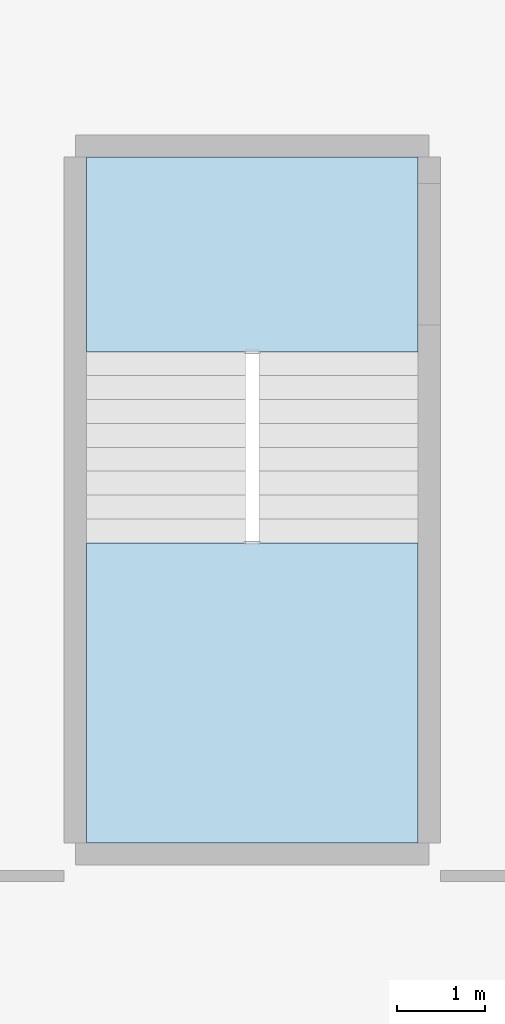
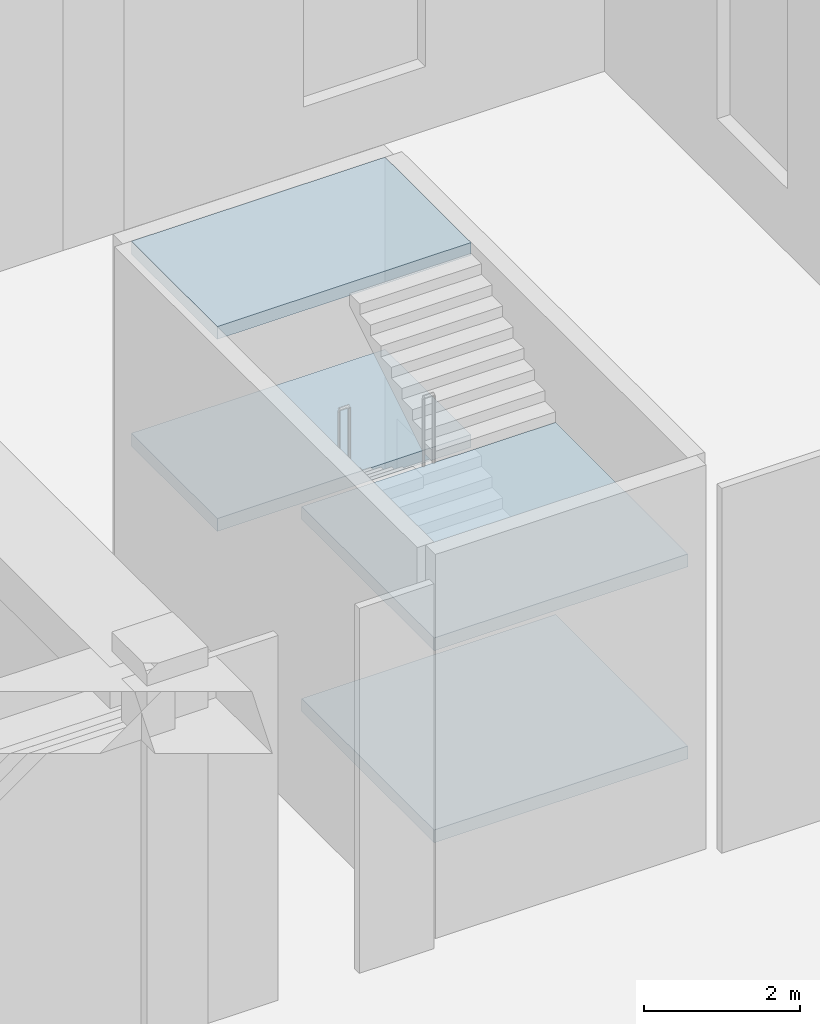
# One storey, part 5 of 25: 4 slabs, 1 element without a shape of its own.
"""IFC4 building model written with IfcOpenShell, lengths in metres."""

from ifc_helpers import new_model, si_unit, direction, frame, origin, place, context, subcontext, project, spatial, polyline, outline, extrude, material, layer, layer_set, type_object, element, aggregate, save


model = new_model("IFC4")

# Units and contexts
model_context = context("Model", 3, precision=1e-05, world=origin(), true_north=direction((0.0, 1.0)))
body_context = subcontext(model_context, "Body", "Model", "MODEL_VIEW")
ifc_project = project(units=[si_unit("LENGTHUNIT", "METRE"), si_unit("AREAUNIT", "SQUARE_METRE"), si_unit("VOLUMEUNIT", "CUBIC_METRE"), si_unit("PLANEANGLEUNIT", "RADIAN"), si_unit("MASSUNIT", "GRAM", prefix="KILO")], contexts=[model_context])

# Site, building, storey
site_placement = place(None, origin())
site = spatial("IfcSite", under=ifc_project, at=site_placement, CompositionType="ELEMENT")
building_placement = place(site_placement, origin())
building = spatial("IfcBuilding", under=site, at=building_placement, Name="Isbrekke Arena Tower", CompositionType="ELEMENT")
storey_placement = place(building_placement, frame((0.0, 0.0, 6.0)))
storey = spatial("IfcBuildingStorey", under=building, at=storey_placement, Name="L01", CompositionType="ELEMENT", Elevation=6.0)

# Stair, slabs
ifc_material_1 = material(Name="Concrete B45 (C45/55) precast", Category="concrete")
stair_type = type_object("IfcStairType", Name="ST60 STAIR 1800 WIDE, 36 RISERS 167", PredefinedType="HALF_TURN_STAIR", material=ifc_material_1)
stair_placement = place(storey_placement, origin())
stair = element("IfcStair", 1, at=stair_placement, inside=storey, type_object=stair_type, Name="P1 stair L01", PredefinedType="HALF_TURN_STAIR")
ifc_material_2 = material(Name="Concrete B35 (C35/45)", Category="concrete")
ifc_layer = layer(ifc_material_2, 0.199951171875)
ifc_layer_set = layer_set([ifc_layer], Name="SL1 STAIR LANDING 200")
slab_type = type_object("IfcSlabType", Name="SL1 STAIR LANDING 200", PredefinedType="LANDING", material=ifc_layer_set)
slab_1_placement = place(storey_placement, frame((0.0, 0.0, 1.300048828125)))
slab_1 = element("IfcSlab", 2, at=slab_1_placement, type_object=slab_type, Name="P1 landing 1", PredefinedType="LANDING", context=body_context, shape_type="SweptSolid", body=[
    extrude(outline(polyline([(44.125, 30.125), (47.875, 30.125), (47.875, 33.514892578125), (44.125, 33.514892578125), (44.125, 30.125)])), origin(), (0.0, 0.0, 1.0), 0.199951171875),
])
slab_2_placement = place(storey_placement, frame((0.0, 0.0, 2.800048828125)))
slab_2 = element("IfcSlab", 3, at=slab_2_placement, type_object=slab_type, Name="P1 landing 2", PredefinedType="LANDING", context=body_context, shape_type="SweptSolid", body=[
    extrude(outline(polyline([(44.125, 35.675048828125), (47.875, 35.675048828125), (47.875, 37.875), (44.125, 37.875), (44.125, 35.675048828125)])), origin(), (0.0, 0.0, 1.0), 0.199951171875),
])
slab_3_placement = place(storey_placement, frame((0.0, 0.0, 4.300048828125)))
slab_3 = element("IfcSlab", 4, at=slab_3_placement, type_object=slab_type, Name="P1 landing 3", PredefinedType="LANDING", context=body_context, shape_type="SweptSolid", body=[
    extrude(outline(polyline([(44.125, 30.125), (47.875, 30.125), (47.875, 33.514892578125), (44.125, 33.514892578125), (44.125, 30.125)])), origin(), (0.0, 0.0, 1.0), 0.199951171875),
])
slab_4_placement = place(storey_placement, frame((0.0, 0.0, 5.800048828125)))
slab_4 = element("IfcSlab", 5, at=slab_4_placement, type_object=slab_type, Name="P1 landing 4", PredefinedType="LANDING", context=body_context, shape_type="SweptSolid", body=[
    extrude(outline(polyline([(44.125, 35.675048828125), (47.875, 35.675048828125), (47.875, 37.875), (44.125, 37.875), (44.125, 35.675048828125)])), origin(), (0.0, 0.0, 1.0), 0.199951171875),
])
aggregate(stair, [slab_1, slab_2, slab_3, slab_4])

save(model, "model.ifc")
